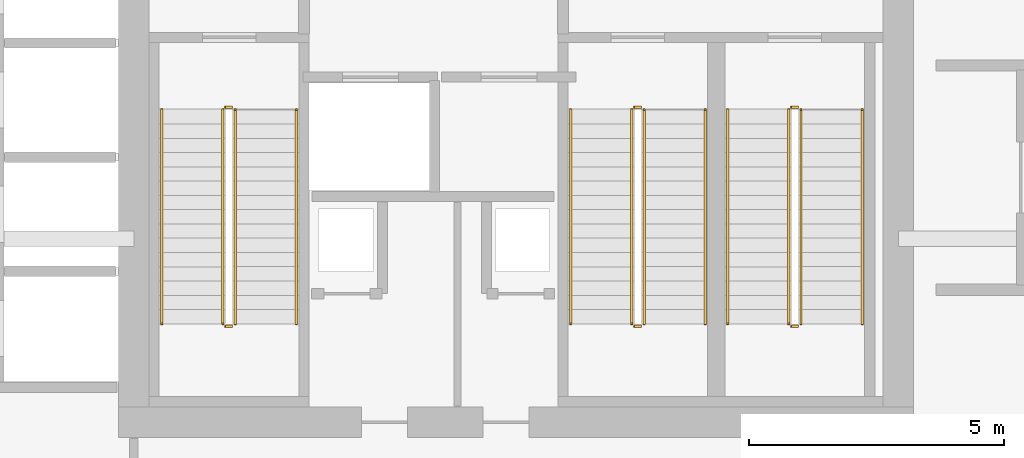
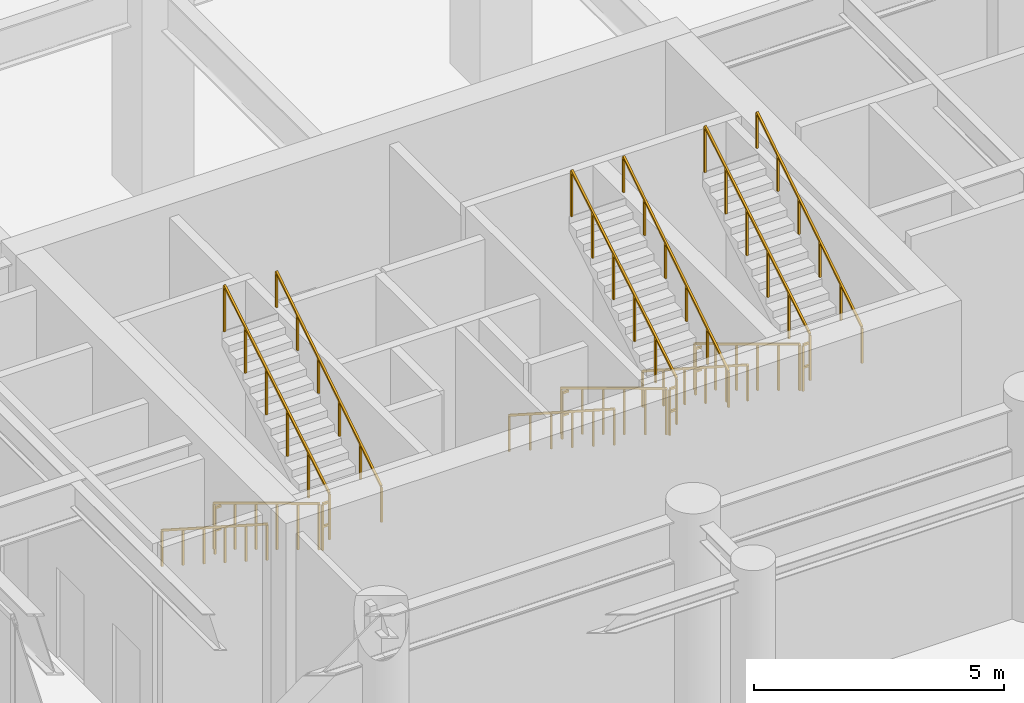
# One storey, part 20 of 23: 18 railings.
"""IFC4 building model written with IfcOpenShell, lengths in metres."""

import ifcopenshell
import ifcopenshell.guid

model = None  # the IFC model being written
_history = None  # IfcOwnerHistory: only IFC2X3 demands one
_inside = {}  # id of a spatial element -> (the spatial element, [elements in it])
_under = {}  # id of a project, library or spatial element -> (it, [spatial elements below it])
_declared = {}  # id of a project -> (the project, [libraries it declares])
_typed = {}  # id of a type object -> (the type object, [elements of that type])
_made_of = {}  # id of a material, layer set ... -> (it, [elements and type objects made of it])


def new_model(schema):
    """Start an empty IFC model of exactly this schema.

    Asked for "IFC4X3", IfcOpenShell would pick the latest addendum, in which some entities
    have other attributes; the version numbers below select the first issue.
    IFC2X3 requires an IfcOwnerHistory on every rooted entity: one is made here for all.
    """
    global model, _history
    if schema == "IFC4X3":
        model = ifcopenshell.file(schema_version=(4, 3, 0, 0))
    else:
        model = ifcopenshell.file(schema=schema)
    _inside.clear()
    _under.clear()
    _declared.clear()
    _typed.clear()
    _made_of.clear()
    _history = None
    if model.schema == "IFC2X3":
        org = make("IfcOrganization", Name="unknown")
        user = make(
            "IfcPersonAndOrganization",
            ThePerson=make("IfcPerson", FamilyName="unknown"),
            TheOrganization=org,
        )
        app = make(
            "IfcApplication",
            ApplicationDeveloper=org,
            Version="unknown",
            ApplicationFullName="unknown",
            ApplicationIdentifier="unknown",
        )
        _history = make(
            "IfcOwnerHistory",
            OwningUser=user,
            OwningApplication=app,
            ChangeAction="ADDED",
            CreationDate=0,
        )
    return model


def make(cls, **values):
    """One entity of the class cls with the attributes given. An attribute that is None is left unset."""
    return model.create_entity(
        cls, **{name: value for name, value in values.items() if value is not None}
    )


def rooted(cls, **values):
    """An entity with a GlobalId (a new one), such as an element, a storey or a relation."""
    return make(cls, GlobalId=ifcopenshell.guid.new(), OwnerHistory=_history, **values)


def si_unit(unit_type, name, prefix=None):
    """IfcSIUnit, for example si_unit("LENGTHUNIT", "METRE", prefix="MILLI")."""
    return make("IfcSIUnit", UnitType=unit_type, Prefix=prefix, Name=name)


def derived_unit(unit_type, elements):
    """IfcDerivedUnit: a product of units, each with its exponent."""
    return make(
        "IfcDerivedUnit",
        Elements=[
            make("IfcDerivedUnitElement", Unit=unit, Exponent=power)
            for unit, power in elements
        ],
        UnitType=unit_type,
    )


def assignment(units):
    """IfcUnitAssignment: the units of a project."""
    return None if units is None else make("IfcUnitAssignment", Units=units)


def point(xyz):
    """IfcCartesianPoint."""
    return None if xyz is None else make("IfcCartesianPoint", Coordinates=xyz)


def direction(xyz):
    """IfcDirection."""
    return None if xyz is None else make("IfcDirection", DirectionRatios=xyz)


def frame(location, z_axis=None, x_axis=None):
    """IfcAxis2Placement3D, a coordinate frame: its origin and axes. An axis left out is left unset."""
    return make(
        "IfcAxis2Placement3D",
        Location=point(location),
        Axis=direction(z_axis),
        RefDirection=direction(x_axis),
    )


def frame_2d(location, x_axis=None):
    """IfcAxis2Placement2D, a coordinate frame in the plane: its origin and x axis."""
    return make(
        "IfcAxis2Placement2D", Location=point(location), RefDirection=direction(x_axis)
    )


def origin():
    """The frame at (0, 0, 0) with its axes left unset."""
    return frame((0.0, 0.0, 0.0))


def origin_2d():
    """The frame at (0, 0) in the plane with its x axis left unset."""
    return frame_2d((0.0, 0.0))


def place(relative_to, where):
    """IfcLocalPlacement: puts the frame where relative to a parent placement (None: the world)."""
    return make(
        "IfcLocalPlacement", PlacementRelTo=relative_to, RelativePlacement=where
    )


def context(
    kind, dimensions, precision=None, world=None, true_north=None, identifier=None
):
    """IfcGeometricRepresentationContext, for example the 3D "Model" context."""
    return make(
        "IfcGeometricRepresentationContext",
        ContextIdentifier=identifier,
        ContextType=kind,
        CoordinateSpaceDimension=dimensions,
        Precision=precision,
        WorldCoordinateSystem=world,
        TrueNorth=true_north,
    )


def subcontext(parent, identifier, kind, view, scale=None):
    """IfcGeometricRepresentationSubContext, for example "Body" below "Model"."""
    return make(
        "IfcGeometricRepresentationSubContext",
        ContextIdentifier=identifier,
        ContextType=kind,
        ParentContext=parent,
        TargetScale=scale,
        TargetView=view,
    )


def project(units=None, contexts=None):
    """IfcProject with its units and contexts."""
    return rooted(
        "IfcProject",
        Name="project",
        RepresentationContexts=contexts,
        UnitsInContext=assignment(units),
    )


def spatial(cls, under=None, at=None, **own):
    """A site, building, storey or space (cls), placed at a placement, below another one or the project."""
    s = rooted(cls, ObjectPlacement=at, **own)
    if under is not None:
        _under.setdefault(under.id(), (under, []))[1].append(s)
    return s


def profile(cls, at=None, kind="AREA", **sizes):
    """A parametric profile (cls). Its sizes go by their IFC names, for example OverallWidth=200.0."""
    return make(cls, ProfileType=kind, Position=at, **sizes)


def rectangle(**sizes):
    """IfcRectangleProfileDef."""
    return profile("IfcRectangleProfileDef", **sizes)


def extrude(swept, where, along, depth):
    """IfcExtrudedAreaSolid: the profile swept, set in the frame where, extruded along a direction by depth."""
    return make(
        "IfcExtrudedAreaSolid",
        SweptArea=swept,
        Position=where,
        ExtrudedDirection=direction(along),
        Depth=depth,
    )


def shape(context_of_items, identifier, shape_type, items):
    """IfcShapeRepresentation: the items that make up one representation, for example the "Body"."""
    return make(
        "IfcShapeRepresentation",
        ContextOfItems=context_of_items,
        RepresentationIdentifier=identifier,
        RepresentationType=shape_type,
        Items=items,
    )


def material(Name=None, Category=None):
    """IfcMaterial."""
    return make("IfcMaterial", Name=Name, Category=Category)


def made_of(thing, what):
    """Note that an element or type object is made of a material, layer set ...; save() writes the relation."""
    if what is not None:
        _made_of.setdefault(what.id(), (what, []))[1].append(thing)
    return thing


def type_object(cls, material=None, **own):
    """A type object (cls), such as IfcWallType, which elements share."""
    return made_of(rooted(cls, **own), material)


def element(
    cls,
    number,
    at=None,
    inside=None,
    cuts=None,
    type_object=None,
    material=None,
    context=None,
    identifier="Body",
    shape_type=None,
    held_by="IfcProductDefinitionShape",
    body=None,
    shapes=None,
    **own,
):
    """One element of the class cls, such as IfcWall. Its Tag is "e" and its number.

    at: its placement. inside: the storey or other place that contains it. cuts: it is an
    opening in that element (IfcRelVoidsElement). A single representation is given by context,
    identifier, shape_type and body (its items); several are given by shapes. held_by: the class
    of the entity that holds the representations. save() writes the other relations.
    """
    e = rooted(cls, Tag="e%d" % number, ObjectPlacement=at, **own)
    if body is not None:
        shapes = [shape(context, identifier, shape_type, body)]
    if shapes is not None:
        e.Representation = make(held_by, Representations=shapes)
    if inside is not None:
        _inside.setdefault(inside.id(), (inside, []))[1].append(e)
    if cuts is not None:
        rooted(
            "IfcRelVoidsElement", RelatingBuildingElement=cuts, RelatedOpeningElement=e
        )
    if type_object is not None:
        _typed.setdefault(type_object.id(), (type_object, []))[1].append(e)
    return made_of(e, material)


def aggregate(whole, parts):
    """IfcRelAggregates: a whole, such as a stair, and the parts it consists of."""
    return rooted("IfcRelAggregates", RelatingObject=whole, RelatedObjects=parts)


def save(model, path):
    """Write the relations noted so far, then the file.

    IfcRelAggregates (storeys below a building ...), IfcRelContainedInSpatialStructure (elements
    in a storey), IfcRelDefinesByType, IfcRelAssociatesMaterial and IfcRelDeclares: one each for
    every whole, place, type object, material and project.
    """
    for whole, parts in _under.values():
        aggregate(whole, parts)
    for where, things in _inside.values():
        rooted(
            "IfcRelContainedInSpatialStructure",
            RelatedElements=things,
            RelatingStructure=where,
        )
    for kind, things in _typed.values():
        rooted("IfcRelDefinesByType", RelatedObjects=things, RelatingType=kind)
    for what, things in _made_of.values():
        rooted("IfcRelAssociatesMaterial", RelatedObjects=things, RelatingMaterial=what)
    for by, libraries in _declared.values():
        rooted("IfcRelDeclares", RelatingContext=by, RelatedDefinitions=libraries)
    model.write(path)


model = new_model("IFC4")

# Units and contexts
model_context = context("Model", 3, precision=1e-05, world=origin(), true_north=direction((0.0, 1.0)))
body_context = subcontext(model_context, "Body", "Model", "MODEL_VIEW")
ifc_project = project(units=[si_unit("LENGTHUNIT", "METRE"), si_unit("AREAUNIT", "SQUARE_METRE"), si_unit("VOLUMEUNIT", "CUBIC_METRE"), si_unit("PLANEANGLEUNIT", "RADIAN"), si_unit("MASSUNIT", "GRAM", prefix="KILO"), si_unit("THERMODYNAMICTEMPERATUREUNIT", "KELVIN"), si_unit("POWERUNIT", "WATT"), derived_unit("THERMALTRANSMITTANCEUNIT", [(si_unit("POWERUNIT", "WATT"), 1), (si_unit("AREAUNIT", "SQUARE_METRE"), -1), (si_unit("THERMODYNAMICTEMPERATUREUNIT", "KELVIN"), -1)])], contexts=[model_context])

# Site, building, storey
site_placement = place(None, origin())
site = spatial("IfcSite", under=ifc_project, at=site_placement, CompositionType="ELEMENT")
building_placement = place(site_placement, origin())
building = spatial("IfcBuilding", under=site, at=building_placement, Name="Zahravan Archway Hotel and Residences", CompositionType="ELEMENT")
storey_placement = place(building_placement, origin())
storey = spatial("IfcBuildingStorey", under=building, at=storey_placement, Name="L00", CompositionType="ELEMENT", Elevation=0.0)

# Railings
ifc_material_1 = material(Name="Painted Tubular Steel", Category="steel")
railing_type_1 = type_object("IfcRailingType", Name="RL-STG-1150", PredefinedType="GUARDRAIL", material=ifc_material_1)
railing_1_placement = place(storey_placement, frame((36.550048828125, 9.72998046875, 0.168701171875)))
element("IfcRailing", 1, at=railing_1_placement, inside=storey, type_object=railing_type_1, Name="L00 ST-A1 stair guard 1", PredefinedType="GUARDRAIL", context=body_context, shape_type="SweptSolid", body=[
    extrude(rectangle(XDim=0.048095703125, YDim=0.048095703125, at=origin_2d()), frame((0.0, 0.0, 1.1259765625), z_axis=(0.0, -0.856476492594, 0.516186030065), x_axis=(1.0, 0.0, 0.0)), (0.0, 0.0, 1.0), 4.90380859375),
    extrude(rectangle(XDim=0.0419921875, YDim=0.0419921875, at=origin_2d()), origin(), (0.0, 0.0, 1.0), 1.101806640625),
    extrude(rectangle(XDim=0.0419921875, YDim=0.0419921875, at=origin_2d()), frame((0.0, -0.840087890625, 0.50634765625)), (0.0, 0.0, 1.0), 1.101806640625),
    extrude(rectangle(XDim=0.0419921875, YDim=0.0419921875, at=origin_2d()), frame((0.0, -1.679931640625, 1.012451171875)), (0.0, 0.0, 1.0), 1.101806640625),
    extrude(rectangle(XDim=0.0419921875, YDim=0.0419921875, at=origin_2d()), frame((0.0, -2.52001953125, 1.518798828125)), (0.0, 0.0, 1.0), 1.101806640625),
    extrude(rectangle(XDim=0.0419921875, YDim=0.0419921875, at=origin_2d()), frame((0.0, -3.35986328125, 2.02490234375)), (0.0, 0.0, 1.0), 1.101806640625),
    extrude(rectangle(XDim=0.0419921875, YDim=0.0419921875, at=origin_2d()), frame((0.0, -4.199951171875, 2.53125)), (0.0, 0.0, 1.0), 1.101806640625),
])
railing_2_placement = place(storey_placement, frame((36.60009765625, 5.47998046875, 2.699951171875)))
element("IfcRailing", 2, at=railing_2_placement, inside=storey, type_object=railing_type_1, Name="L00 ST-A1 stair guard 2", PredefinedType="GUARDRAIL", context=body_context, shape_type="SweptSolid", body=[
    extrude(rectangle(XDim=0.048095703125, YDim=0.048095703125, at=origin_2d()), frame((0.0, 0.0, 1.1259765625), z_axis=(1.0, 0.0, 0.0), x_axis=(0.0, 1.0, 0.0)), (0.0, 0.0, 1.0), 0.139892578125),
    extrude(rectangle(XDim=0.048095703125, YDim=0.048095703125, at=origin_2d()), frame((0.0, 0.0, 0.574951171875), z_axis=(1.0, 0.0, 0.0), x_axis=(0.0, 1.0, 0.0)), (0.0, 0.0, 1.0), 0.139892578125),
    extrude(rectangle(XDim=0.0419921875, YDim=0.0419921875, at=origin_2d()), origin(), (0.0, 0.0, 1.0), 1.101806640625),
])
railing_3_placement = place(storey_placement, frame((36.7900390625, 5.530029296875, 2.86865234375)))
element("IfcRailing", 3, at=railing_3_placement, inside=storey, type_object=railing_type_1, Name="L00 ST-A1 stair guard 3", PredefinedType="GUARDRAIL", context=body_context, shape_type="SweptSolid", body=[
    extrude(rectangle(XDim=0.048095703125, YDim=0.048095703125, at=origin_2d()), frame((0.0, 0.0, 1.1259765625), z_axis=(0.0, 0.856476492594, 0.516186030065), x_axis=(-1.0, 0.0, 0.0)), (0.0, 0.0, 1.0), 4.90380859375),
    extrude(rectangle(XDim=0.0419921875, YDim=0.0419921875, at=origin_2d()), origin(), (0.0, 0.0, 1.0), 1.101806640625),
    extrude(rectangle(XDim=0.0419921875, YDim=0.0419921875, at=origin_2d()), frame((0.0, 0.840087890625, 0.50634765625)), (0.0, 0.0, 1.0), 1.101806640625),
    extrude(rectangle(XDim=0.0419921875, YDim=0.0419921875, at=origin_2d()), frame((0.0, 1.679931640625, 1.012451171875)), (0.0, 0.0, 1.0), 1.101806640625),
    extrude(rectangle(XDim=0.0419921875, YDim=0.0419921875, at=origin_2d()), frame((0.0, 2.52001953125, 1.518798828125)), (0.0, 0.0, 1.0), 1.101806640625),
    extrude(rectangle(XDim=0.0419921875, YDim=0.0419921875, at=origin_2d()), frame((0.0, 3.35986328125, 2.02490234375)), (0.0, 0.0, 1.0), 1.101806640625),
    extrude(rectangle(XDim=0.0419921875, YDim=0.0419921875, at=origin_2d()), frame((0.0, 4.199951171875, 2.53125)), (0.0, 0.0, 1.0), 1.101806640625),
])
railing_4_placement = place(storey_placement, frame((36.60009765625, 9.780029296875, 0.0)))
element("IfcRailing", 4, at=railing_4_placement, inside=storey, type_object=railing_type_1, Name="L00 ST-A1 stair guard 4", PredefinedType="GUARDRAIL", context=body_context, shape_type="SweptSolid", body=[
    extrude(rectangle(XDim=0.048095703125, YDim=0.048095703125, at=origin_2d()), frame((0.0, 0.0, 1.1259765625), z_axis=(1.0, 0.0, 0.0), x_axis=(0.0, 1.0, 0.0)), (0.0, 0.0, 1.0), 0.139892578125),
    extrude(rectangle(XDim=0.048095703125, YDim=0.048095703125, at=origin_2d()), frame((0.0, 0.0, 0.574951171875), z_axis=(1.0, 0.0, 0.0), x_axis=(0.0, 1.0, 0.0)), (0.0, 0.0, 1.0), 0.139892578125),
    extrude(rectangle(XDim=0.0419921875, YDim=0.0419921875, at=origin_2d()), origin(), (0.0, 0.0, 1.0), 1.101806640625),
])
railing_5_placement = place(storey_placement, frame((44.570068359375, 9.72998046875, 0.168701171875)))
element("IfcRailing", 5, at=railing_5_placement, inside=storey, type_object=railing_type_1, Name="L00 ST-A2 stair guard 1", PredefinedType="GUARDRAIL", context=body_context, shape_type="SweptSolid", body=[
    extrude(rectangle(XDim=0.048095703125, YDim=0.048095703125, at=origin_2d()), frame((0.0, 0.0, 1.1259765625), z_axis=(0.0, -0.856476492594, 0.516186030065), x_axis=(1.0, 0.0, 0.0)), (0.0, 0.0, 1.0), 4.90380859375),
    extrude(rectangle(XDim=0.0419921875, YDim=0.0419921875, at=origin_2d()), origin(), (0.0, 0.0, 1.0), 1.101806640625),
    extrude(rectangle(XDim=0.0419921875, YDim=0.0419921875, at=origin_2d()), frame((0.0, -0.840087890625, 0.50634765625)), (0.0, 0.0, 1.0), 1.101806640625),
    extrude(rectangle(XDim=0.0419921875, YDim=0.0419921875, at=origin_2d()), frame((0.0, -1.679931640625, 1.012451171875)), (0.0, 0.0, 1.0), 1.101806640625),
    extrude(rectangle(XDim=0.0419921875, YDim=0.0419921875, at=origin_2d()), frame((0.0, -2.52001953125, 1.518798828125)), (0.0, 0.0, 1.0), 1.101806640625),
    extrude(rectangle(XDim=0.0419921875, YDim=0.0419921875, at=origin_2d()), frame((0.0, -3.35986328125, 2.02490234375)), (0.0, 0.0, 1.0), 1.101806640625),
    extrude(rectangle(XDim=0.0419921875, YDim=0.0419921875, at=origin_2d()), frame((0.0, -4.199951171875, 2.53125)), (0.0, 0.0, 1.0), 1.101806640625),
])
railing_6_placement = place(storey_placement, frame((44.6201171875, 5.47998046875, 2.699951171875)))
element("IfcRailing", 6, at=railing_6_placement, inside=storey, type_object=railing_type_1, Name="L00 ST-A2 stair guard 2", PredefinedType="GUARDRAIL", context=body_context, shape_type="SweptSolid", body=[
    extrude(rectangle(XDim=0.048095703125, YDim=0.048095703125, at=origin_2d()), frame((0.0, 0.0, 1.1259765625), z_axis=(1.0, 0.0, 0.0), x_axis=(0.0, 1.0, 0.0)), (0.0, 0.0, 1.0), 0.139892578125),
    extrude(rectangle(XDim=0.048095703125, YDim=0.048095703125, at=origin_2d()), frame((0.0, 0.0, 0.574951171875), z_axis=(1.0, 0.0, 0.0), x_axis=(0.0, 1.0, 0.0)), (0.0, 0.0, 1.0), 0.139892578125),
    extrude(rectangle(XDim=0.0419921875, YDim=0.0419921875, at=origin_2d()), origin(), (0.0, 0.0, 1.0), 1.101806640625),
])
railing_7_placement = place(storey_placement, frame((44.81005859375, 5.530029296875, 2.86865234375)))
element("IfcRailing", 7, at=railing_7_placement, inside=storey, type_object=railing_type_1, Name="L00 ST-A2 stair guard 3", PredefinedType="GUARDRAIL", context=body_context, shape_type="SweptSolid", body=[
    extrude(rectangle(XDim=0.048095703125, YDim=0.048095703125, at=origin_2d()), frame((0.0, 0.0, 1.1259765625), z_axis=(0.0, 0.856476492594, 0.516186030065), x_axis=(-1.0, 0.0, 0.0)), (0.0, 0.0, 1.0), 4.90380859375),
    extrude(rectangle(XDim=0.0419921875, YDim=0.0419921875, at=origin_2d()), origin(), (0.0, 0.0, 1.0), 1.101806640625),
    extrude(rectangle(XDim=0.0419921875, YDim=0.0419921875, at=origin_2d()), frame((0.0, 0.840087890625, 0.50634765625)), (0.0, 0.0, 1.0), 1.101806640625),
    extrude(rectangle(XDim=0.0419921875, YDim=0.0419921875, at=origin_2d()), frame((0.0, 1.679931640625, 1.012451171875)), (0.0, 0.0, 1.0), 1.101806640625),
    extrude(rectangle(XDim=0.0419921875, YDim=0.0419921875, at=origin_2d()), frame((0.0, 2.52001953125, 1.518798828125)), (0.0, 0.0, 1.0), 1.101806640625),
    extrude(rectangle(XDim=0.0419921875, YDim=0.0419921875, at=origin_2d()), frame((0.0, 3.35986328125, 2.02490234375)), (0.0, 0.0, 1.0), 1.101806640625),
    extrude(rectangle(XDim=0.0419921875, YDim=0.0419921875, at=origin_2d()), frame((0.0, 4.199951171875, 2.53125)), (0.0, 0.0, 1.0), 1.101806640625),
])
railing_8_placement = place(storey_placement, frame((44.6201171875, 9.780029296875, 0.0)))
element("IfcRailing", 8, at=railing_8_placement, inside=storey, type_object=railing_type_1, Name="L00 ST-A2 stair guard 4", PredefinedType="GUARDRAIL", context=body_context, shape_type="SweptSolid", body=[
    extrude(rectangle(XDim=0.048095703125, YDim=0.048095703125, at=origin_2d()), frame((0.0, 0.0, 1.1259765625), z_axis=(1.0, 0.0, 0.0), x_axis=(0.0, 1.0, 0.0)), (0.0, 0.0, 1.0), 0.139892578125),
    extrude(rectangle(XDim=0.048095703125, YDim=0.048095703125, at=origin_2d()), frame((0.0, 0.0, 0.574951171875), z_axis=(1.0, 0.0, 0.0), x_axis=(0.0, 1.0, 0.0)), (0.0, 0.0, 1.0), 0.139892578125),
    extrude(rectangle(XDim=0.0419921875, YDim=0.0419921875, at=origin_2d()), origin(), (0.0, 0.0, 1.0), 1.101806640625),
])
railing_9_placement = place(storey_placement, frame((47.64990234375, 9.72998046875, 0.168701171875)))
element("IfcRailing", 9, at=railing_9_placement, inside=storey, type_object=railing_type_1, Name="L00 ST-A3 stair guard 1", PredefinedType="GUARDRAIL", context=body_context, shape_type="SweptSolid", body=[
    extrude(rectangle(XDim=0.048095703125, YDim=0.048095703125, at=origin_2d()), frame((0.0, 0.0, 1.1259765625), z_axis=(0.0, -0.856476492594, 0.516186030065), x_axis=(1.0, 0.0, 0.0)), (0.0, 0.0, 1.0), 4.90380859375),
    extrude(rectangle(XDim=0.0419921875, YDim=0.0419921875, at=origin_2d()), origin(), (0.0, 0.0, 1.0), 1.101806640625),
    extrude(rectangle(XDim=0.0419921875, YDim=0.0419921875, at=origin_2d()), frame((0.0, -0.840087890625, 0.50634765625)), (0.0, 0.0, 1.0), 1.101806640625),
    extrude(rectangle(XDim=0.0419921875, YDim=0.0419921875, at=origin_2d()), frame((0.0, -1.679931640625, 1.012451171875)), (0.0, 0.0, 1.0), 1.101806640625),
    extrude(rectangle(XDim=0.0419921875, YDim=0.0419921875, at=origin_2d()), frame((0.0, -2.52001953125, 1.518798828125)), (0.0, 0.0, 1.0), 1.101806640625),
    extrude(rectangle(XDim=0.0419921875, YDim=0.0419921875, at=origin_2d()), frame((0.0, -3.35986328125, 2.02490234375)), (0.0, 0.0, 1.0), 1.101806640625),
    extrude(rectangle(XDim=0.0419921875, YDim=0.0419921875, at=origin_2d()), frame((0.0, -4.199951171875, 2.53125)), (0.0, 0.0, 1.0), 1.101806640625),
])
railing_10_placement = place(storey_placement, frame((47.699951171875, 5.47998046875, 2.699951171875)))
element("IfcRailing", 10, at=railing_10_placement, inside=storey, type_object=railing_type_1, Name="L00 ST-A3 stair guard 2", PredefinedType="GUARDRAIL", context=body_context, shape_type="SweptSolid", body=[
    extrude(rectangle(XDim=0.048095703125, YDim=0.048095703125, at=origin_2d()), frame((0.0, 0.0, 1.1259765625), z_axis=(1.0, 0.0, 0.0), x_axis=(0.0, 1.0, 0.0)), (0.0, 0.0, 1.0), 0.14013671875),
    extrude(rectangle(XDim=0.048095703125, YDim=0.048095703125, at=origin_2d()), frame((0.0, 0.0, 0.574951171875), z_axis=(1.0, 0.0, 0.0), x_axis=(0.0, 1.0, 0.0)), (0.0, 0.0, 1.0), 0.14013671875),
    extrude(rectangle(XDim=0.0419921875, YDim=0.0419921875, at=origin_2d()), origin(), (0.0, 0.0, 1.0), 1.101806640625),
])
railing_11_placement = place(storey_placement, frame((47.889892578125, 5.530029296875, 2.86865234375)))
element("IfcRailing", 11, at=railing_11_placement, inside=storey, type_object=railing_type_1, Name="L00 ST-A3 stair guard 3", PredefinedType="GUARDRAIL", context=body_context, shape_type="SweptSolid", body=[
    extrude(rectangle(XDim=0.048095703125, YDim=0.048095703125, at=origin_2d()), frame((0.0, 0.0, 1.1259765625), z_axis=(0.0, 0.856476492594, 0.516186030065), x_axis=(-1.0, 0.0, 0.0)), (0.0, 0.0, 1.0), 4.90380859375),
    extrude(rectangle(XDim=0.0419921875, YDim=0.0419921875, at=origin_2d()), origin(), (0.0, 0.0, 1.0), 1.101806640625),
    extrude(rectangle(XDim=0.0419921875, YDim=0.0419921875, at=origin_2d()), frame((0.0, 0.840087890625, 0.50634765625)), (0.0, 0.0, 1.0), 1.101806640625),
    extrude(rectangle(XDim=0.0419921875, YDim=0.0419921875, at=origin_2d()), frame((0.0, 1.679931640625, 1.012451171875)), (0.0, 0.0, 1.0), 1.101806640625),
    extrude(rectangle(XDim=0.0419921875, YDim=0.0419921875, at=origin_2d()), frame((0.0, 2.52001953125, 1.518798828125)), (0.0, 0.0, 1.0), 1.101806640625),
    extrude(rectangle(XDim=0.0419921875, YDim=0.0419921875, at=origin_2d()), frame((0.0, 3.35986328125, 2.02490234375)), (0.0, 0.0, 1.0), 1.101806640625),
    extrude(rectangle(XDim=0.0419921875, YDim=0.0419921875, at=origin_2d()), frame((0.0, 4.199951171875, 2.53125)), (0.0, 0.0, 1.0), 1.101806640625),
])
railing_12_placement = place(storey_placement, frame((47.699951171875, 9.780029296875, 0.0)))
element("IfcRailing", 12, at=railing_12_placement, inside=storey, type_object=railing_type_1, Name="L00 ST-A3 stair guard 4", PredefinedType="GUARDRAIL", context=body_context, shape_type="SweptSolid", body=[
    extrude(rectangle(XDim=0.048095703125, YDim=0.048095703125, at=origin_2d()), frame((0.0, 0.0, 1.1259765625), z_axis=(1.0, 0.0, 0.0), x_axis=(0.0, 1.0, 0.0)), (0.0, 0.0, 1.0), 0.14013671875),
    extrude(rectangle(XDim=0.048095703125, YDim=0.048095703125, at=origin_2d()), frame((0.0, 0.0, 0.574951171875), z_axis=(1.0, 0.0, 0.0), x_axis=(0.0, 1.0, 0.0)), (0.0, 0.0, 1.0), 0.14013671875),
    extrude(rectangle(XDim=0.0419921875, YDim=0.0419921875, at=origin_2d()), origin(), (0.0, 0.0, 1.0), 1.101806640625),
])
ifc_material_2 = material(Name="Brushed Stainless Steel", Category="steel")
railing_type_2 = type_object("IfcRailingType", Name="RL-STH-900", PredefinedType="HANDRAIL", material=ifc_material_2)
railing_13_placement = place(storey_placement, frame((35.35009765625, 9.72998046875, 0.168701171875)))
element("IfcRailing", 13, at=railing_13_placement, inside=storey, type_object=railing_type_2, Name="L00 ST-A1 stair handrail 1", PredefinedType="HANDRAIL", context=body_context, shape_type="SweptSolid", body=[
    extrude(rectangle(XDim=0.048095703125, YDim=0.048095703125, at=origin_2d()), frame((0.0, 0.0, 0.8759765625), z_axis=(0.0, -0.841180064094, 0.540755119968), x_axis=(1.0, 0.0, 0.0)), (0.0, 0.0, 1.0), 4.992919921875),
    extrude(rectangle(XDim=0.0419921875, YDim=0.0419921875, at=origin_2d()), origin(), (0.0, 0.0, 1.0), 0.851806640625),
    extrude(rectangle(XDim=0.0419921875, YDim=0.0419921875, at=origin_2d()), frame((0.0, -0.840087890625, 0.5400390625)), (0.0, 0.0, 1.0), 0.851806640625),
    extrude(rectangle(XDim=0.0419921875, YDim=0.0419921875, at=origin_2d()), frame((0.0, -1.679931640625, 1.080078125)), (0.0, 0.0, 1.0), 0.851806640625),
    extrude(rectangle(XDim=0.0419921875, YDim=0.0419921875, at=origin_2d()), frame((0.0, -2.52001953125, 1.619873046875)), (0.0, 0.0, 1.0), 0.851806640625),
    extrude(rectangle(XDim=0.0419921875, YDim=0.0419921875, at=origin_2d()), frame((0.0, -3.35986328125, 2.159912109375)), (0.0, 0.0, 1.0), 0.851806640625),
    extrude(rectangle(XDim=0.0419921875, YDim=0.0419921875, at=origin_2d()), frame((0.0, -4.199951171875, 2.699951171875)), (0.0, 0.0, 1.0), 0.851806640625),
])
railing_14_placement = place(storey_placement, frame((37.989990234375, 5.530029296875, 2.86865234375)))
element("IfcRailing", 14, at=railing_14_placement, inside=storey, type_object=railing_type_2, Name="L00 ST-A1 stair handrail 2", PredefinedType="HANDRAIL", context=body_context, shape_type="SweptSolid", body=[
    extrude(rectangle(XDim=0.048095703125, YDim=0.048095703125, at=origin_2d()), frame((0.0, 0.0, 0.8759765625), z_axis=(0.0, 0.841157821942, 0.54078971753), x_axis=(-1.0, 0.0, 0.0)), (0.0, 0.0, 1.0), 4.9931640625),
    extrude(rectangle(XDim=0.0419921875, YDim=0.0419921875, at=origin_2d()), origin(), (0.0, 0.0, 1.0), 0.851806640625),
    extrude(rectangle(XDim=0.0419921875, YDim=0.0419921875, at=origin_2d()), frame((0.0, 0.840087890625, 0.5400390625)), (0.0, 0.0, 1.0), 0.851806640625),
    extrude(rectangle(XDim=0.0419921875, YDim=0.0419921875, at=origin_2d()), frame((0.0, 1.679931640625, 1.080078125)), (0.0, 0.0, 1.0), 0.851806640625),
    extrude(rectangle(XDim=0.0419921875, YDim=0.0419921875, at=origin_2d()), frame((0.0, 2.52001953125, 1.6201171875)), (0.0, 0.0, 1.0), 0.851806640625),
    extrude(rectangle(XDim=0.0419921875, YDim=0.0419921875, at=origin_2d()), frame((0.0, 3.35986328125, 2.16015625)), (0.0, 0.0, 1.0), 0.851806640625),
    extrude(rectangle(XDim=0.0419921875, YDim=0.0419921875, at=origin_2d()), frame((0.0, 4.199951171875, 2.7001953125)), (0.0, 0.0, 1.0), 0.851806640625),
])
railing_15_placement = place(storey_placement, frame((43.3701171875, 9.72998046875, 0.168701171875)))
element("IfcRailing", 15, at=railing_15_placement, inside=storey, type_object=railing_type_2, Name="L00 ST-A2 stair handrail 1", PredefinedType="HANDRAIL", context=body_context, shape_type="SweptSolid", body=[
    extrude(rectangle(XDim=0.048095703125, YDim=0.048095703125, at=origin_2d()), frame((0.0, 0.0, 0.8759765625), z_axis=(0.0, -0.841180064094, 0.540755119968), x_axis=(1.0, 0.0, 0.0)), (0.0, 0.0, 1.0), 4.992919921875),
    extrude(rectangle(XDim=0.0419921875, YDim=0.0419921875, at=origin_2d()), origin(), (0.0, 0.0, 1.0), 0.851806640625),
    extrude(rectangle(XDim=0.0419921875, YDim=0.0419921875, at=origin_2d()), frame((0.0, -0.840087890625, 0.5400390625)), (0.0, 0.0, 1.0), 0.851806640625),
    extrude(rectangle(XDim=0.0419921875, YDim=0.0419921875, at=origin_2d()), frame((0.0, -1.679931640625, 1.080078125)), (0.0, 0.0, 1.0), 0.851806640625),
    extrude(rectangle(XDim=0.0419921875, YDim=0.0419921875, at=origin_2d()), frame((0.0, -2.52001953125, 1.619873046875)), (0.0, 0.0, 1.0), 0.851806640625),
    extrude(rectangle(XDim=0.0419921875, YDim=0.0419921875, at=origin_2d()), frame((0.0, -3.35986328125, 2.159912109375)), (0.0, 0.0, 1.0), 0.851806640625),
    extrude(rectangle(XDim=0.0419921875, YDim=0.0419921875, at=origin_2d()), frame((0.0, -4.199951171875, 2.699951171875)), (0.0, 0.0, 1.0), 0.851806640625),
])
railing_16_placement = place(storey_placement, frame((46.010009765625, 5.530029296875, 2.86865234375)))
element("IfcRailing", 16, at=railing_16_placement, inside=storey, type_object=railing_type_2, Name="L00 ST-A2 stair handrail 2", PredefinedType="HANDRAIL", context=body_context, shape_type="SweptSolid", body=[
    extrude(rectangle(XDim=0.048095703125, YDim=0.048095703125, at=origin_2d()), frame((0.0, 0.0, 0.8759765625), z_axis=(0.0, 0.841157821942, 0.54078971753), x_axis=(-1.0, 0.0, 0.0)), (0.0, 0.0, 1.0), 4.9931640625),
    extrude(rectangle(XDim=0.0419921875, YDim=0.0419921875, at=origin_2d()), origin(), (0.0, 0.0, 1.0), 0.851806640625),
    extrude(rectangle(XDim=0.0419921875, YDim=0.0419921875, at=origin_2d()), frame((0.0, 0.840087890625, 0.5400390625)), (0.0, 0.0, 1.0), 0.851806640625),
    extrude(rectangle(XDim=0.0419921875, YDim=0.0419921875, at=origin_2d()), frame((0.0, 1.679931640625, 1.080078125)), (0.0, 0.0, 1.0), 0.851806640625),
    extrude(rectangle(XDim=0.0419921875, YDim=0.0419921875, at=origin_2d()), frame((0.0, 2.52001953125, 1.6201171875)), (0.0, 0.0, 1.0), 0.851806640625),
    extrude(rectangle(XDim=0.0419921875, YDim=0.0419921875, at=origin_2d()), frame((0.0, 3.35986328125, 2.16015625)), (0.0, 0.0, 1.0), 0.851806640625),
    extrude(rectangle(XDim=0.0419921875, YDim=0.0419921875, at=origin_2d()), frame((0.0, 4.199951171875, 2.7001953125)), (0.0, 0.0, 1.0), 0.851806640625),
])
railing_17_placement = place(storey_placement, frame((46.449951171875, 9.72998046875, 0.168701171875)))
element("IfcRailing", 17, at=railing_17_placement, inside=storey, type_object=railing_type_2, Name="L00 ST-A3 stair handrail 1", PredefinedType="HANDRAIL", context=body_context, shape_type="SweptSolid", body=[
    extrude(rectangle(XDim=0.048095703125, YDim=0.048095703125, at=origin_2d()), frame((0.0, 0.0, 0.8759765625), z_axis=(0.0, -0.841180064094, 0.540755119968), x_axis=(1.0, 0.0, 0.0)), (0.0, 0.0, 1.0), 4.992919921875),
    extrude(rectangle(XDim=0.0419921875, YDim=0.0419921875, at=origin_2d()), origin(), (0.0, 0.0, 1.0), 0.851806640625),
    extrude(rectangle(XDim=0.0419921875, YDim=0.0419921875, at=origin_2d()), frame((0.0, -0.840087890625, 0.5400390625)), (0.0, 0.0, 1.0), 0.851806640625),
    extrude(rectangle(XDim=0.0419921875, YDim=0.0419921875, at=origin_2d()), frame((0.0, -1.679931640625, 1.080078125)), (0.0, 0.0, 1.0), 0.851806640625),
    extrude(rectangle(XDim=0.0419921875, YDim=0.0419921875, at=origin_2d()), frame((0.0, -2.52001953125, 1.619873046875)), (0.0, 0.0, 1.0), 0.851806640625),
    extrude(rectangle(XDim=0.0419921875, YDim=0.0419921875, at=origin_2d()), frame((0.0, -3.35986328125, 2.159912109375)), (0.0, 0.0, 1.0), 0.851806640625),
    extrude(rectangle(XDim=0.0419921875, YDim=0.0419921875, at=origin_2d()), frame((0.0, -4.199951171875, 2.699951171875)), (0.0, 0.0, 1.0), 0.851806640625),
])
railing_18_placement = place(storey_placement, frame((49.090087890625, 5.530029296875, 2.86865234375)))
element("IfcRailing", 18, at=railing_18_placement, inside=storey, type_object=railing_type_2, Name="L00 ST-A3 stair handrail 2", PredefinedType="HANDRAIL", context=body_context, shape_type="SweptSolid", body=[
    extrude(rectangle(XDim=0.048095703125, YDim=0.048095703125, at=origin_2d()), frame((0.0, 0.0, 0.8759765625), z_axis=(0.0, 0.841157821942, 0.54078971753), x_axis=(-1.0, 0.0, 0.0)), (0.0, 0.0, 1.0), 4.9931640625),
    extrude(rectangle(XDim=0.0419921875, YDim=0.0419921875, at=origin_2d()), origin(), (0.0, 0.0, 1.0), 0.851806640625),
    extrude(rectangle(XDim=0.0419921875, YDim=0.0419921875, at=origin_2d()), frame((0.0, 0.840087890625, 0.5400390625)), (0.0, 0.0, 1.0), 0.851806640625),
    extrude(rectangle(XDim=0.0419921875, YDim=0.0419921875, at=origin_2d()), frame((0.0, 1.679931640625, 1.080078125)), (0.0, 0.0, 1.0), 0.851806640625),
    extrude(rectangle(XDim=0.0419921875, YDim=0.0419921875, at=origin_2d()), frame((0.0, 2.52001953125, 1.6201171875)), (0.0, 0.0, 1.0), 0.851806640625),
    extrude(rectangle(XDim=0.0419921875, YDim=0.0419921875, at=origin_2d()), frame((0.0, 3.35986328125, 2.16015625)), (0.0, 0.0, 1.0), 0.851806640625),
    extrude(rectangle(XDim=0.0419921875, YDim=0.0419921875, at=origin_2d()), frame((0.0, 4.199951171875, 2.7001953125)), (0.0, 0.0, 1.0), 0.851806640625),
])

save(model, "model.ifc")
